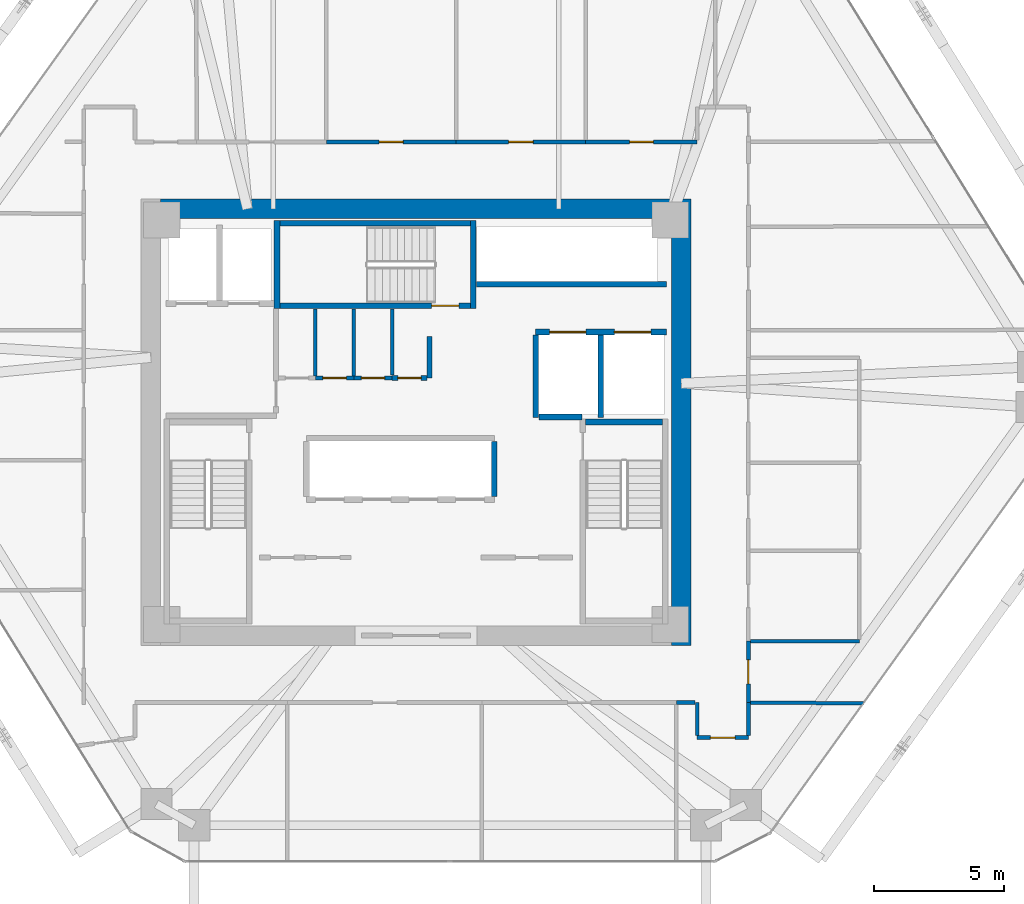
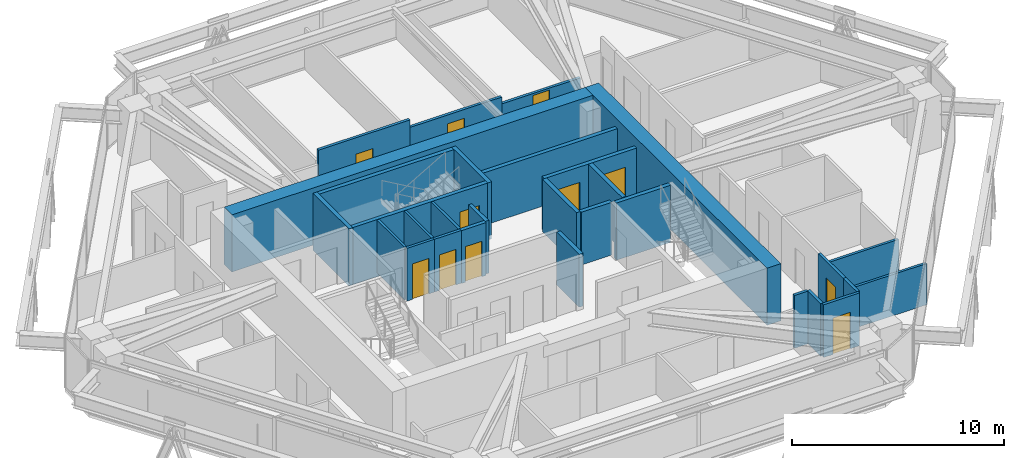
# One storey, part 14 of 16: 30 walls, 11 doors, 11 openings.
"""IFC4 building model written with IfcOpenShell, lengths in metres."""

from ifc_helpers import new_model, si_unit, direction, frame, frame_2d, origin, place, context, subcontext, project, spatial, rectangle, extrude, source, transform, mapped, material, layer, layer_set, type_object, type_shapes, element, fill, save


model = new_model("IFC4")

# Units and contexts
model_context = context("Model", 3, precision=1e-05, world=origin(), true_north=direction((0.0, 1.0)))
body_context = subcontext(model_context, "Body", "Model", "MODEL_VIEW")
ifc_project = project(units=[si_unit("LENGTHUNIT", "METRE"), si_unit("AREAUNIT", "SQUARE_METRE"), si_unit("VOLUMEUNIT", "CUBIC_METRE"), si_unit("PLANEANGLEUNIT", "RADIAN"), si_unit("MASSUNIT", "GRAM", prefix="KILO")], contexts=[model_context])

# Site, building, storey
site_placement = place(None, origin())
site = spatial("IfcSite", under=ifc_project, at=site_placement, CompositionType="ELEMENT")
building_placement = place(site_placement, origin())
building = spatial("IfcBuilding", under=site, at=building_placement, Name="Durnholm Broadcast Tower", CompositionType="ELEMENT")
storey_placement = place(building_placement, frame((0.0, 0.0, 123.89990234375)))
storey = spatial("IfcBuildingStorey", under=building, at=storey_placement, Name="L33", CompositionType="ELEMENT", Elevation=123.89990234375)

# Walls
ifc_material_1 = material(Name="Concrete C70/85", Category="concrete")
ifc_layer_1 = layer(ifc_material_1, 0.75)
ifc_layer_set_1 = layer_set([ifc_layer_1], Name="Concrete C70/85")
wall_type_1 = type_object("IfcWallType", Name="WALL-CW-750", PredefinedType="SHEAR", material=ifc_layer_set_1)
wall_1_placement = place(storey_placement, frame((10.22509765625, -8.60009765625, 0.0), z_axis=(0.0, 0.0, 1.0), x_axis=(0.0, 1.0, 0.0)))
element("IfcWall", 1, at=wall_1_placement, inside=storey, type_object=wall_type_1, Name="L33 central core shear wall CW-EAST", PredefinedType="SHEAR", context=body_context, shape_type="SweptSolid", body=[
    extrude(rectangle(XDim=17.2001953125, YDim=0.75, at=frame_2d((8.60009765625, 0.0))), origin(), (0.0, 0.0, 1.0), 3.300048828125),
])
wall_2_placement = place(storey_placement, frame((-9.85009765625, 8.22509765625, 0.0), z_axis=(0.0, 0.0, 1.0), x_axis=(1.0, 0.0, 0.0)))
element("IfcWall", 2, at=wall_2_placement, inside=storey, type_object=wall_type_1, Name="L33 central core shear wall CW-N", PredefinedType="SHEAR", context=body_context, shape_type="SweptSolid", body=[
    extrude(rectangle(XDim=19.7001953125, YDim=0.75, at=frame_2d((9.85009765625, 0.0))), origin(), (0.0, 0.0, 1.0), 3.300048828125),
])
ifc_material_2 = material(Name="Fire-Rated Gypsum Shaftwall", Category="concrete")
ifc_layer_2 = layer(ifc_material_2, 0.199951171875)
ifc_layer_set_2 = layer_set([ifc_layer_2], Name="Fire-Rated Gypsum Shaftwall")
wall_type_2 = type_object("IfcWallType", Name="WALL-LOB-200", PredefinedType="SOLIDWALL", material=ifc_layer_set_2)
wall_3_placement = place(storey_placement, frame((0.52001953125, 3.300048828125, 0.0), z_axis=(0.0, 0.0, 1.0), x_axis=(0.0, -1.0, 0.0)))
element("IfcWall", 3, at=wall_3_placement, inside=storey, type_object=wall_type_2, Name="L33 Core Signal Sync Room corridor partition", PredefinedType="SOLIDWALL", context=body_context, shape_type="SweptSolid", body=[
    extrude(rectangle(XDim=1.590087890625, YDim=0.199951171875, at=frame_2d((0.794921875, 0.0))), origin(), (0.0, 0.0, 1.0), 3.045166015625),
])

# Wall, opening, door
wall_4_placement = place(storey_placement, frame((0.416015625, 1.7099609375, 0.0), z_axis=(0.0, 0.0, 1.0), x_axis=(-1.0, 0.0, 0.0)))
wall_4 = element("IfcWall", 4, at=wall_4_placement, inside=storey, type_object=wall_type_2, Name="L33 Core Signal Sync Room corridor partition", PredefinedType="SOLIDWALL", context=body_context, shape_type="SweptSolid", body=[
    extrude(rectangle(XDim=1.3359375, YDim=0.199951171875, at=frame_2d((0.66796875, 0.0))), origin(), (0.0, 0.0, 1.0), 3.045166015625),
])
opening_1_placement = place(wall_4_placement, frame((0.218017578125, 0.0, 0.0)))
opening_1 = element("IfcOpeningElement", 5, at=opening_1_placement, cuts=wall_4, Name="Opening DC-60R", PredefinedType="OPENING", context=body_context, shape_type="SweptSolid", body=[
    extrude(rectangle(XDim=0.89990234375, YDim=2.050048828125, at=frame_2d((0.449951171875, 1.02490234375))), frame((0.0, 0.10986328125, 0.0), z_axis=(0.0, -1.0, 0.0), x_axis=(1.0, 0.0, 0.0)), (0.0, 0.0, 1.0), 0.219970703125),
])
ifc_material_3 = material(Name="Fire-Rated Core Service Door", Category="steel")
ifc_layer_3 = layer(ifc_material_3, 0.050048828125)
ifc_layer_set_3 = layer_set([ifc_layer_3], Name="Fire-Rated Core Service Door")
door_type_1 = type_object("IfcDoorType", Name="DOOR-CORE-FD60-R", OperationType="NOTDEFINED", PredefinedType="DOOR", material=ifc_layer_set_3)
shared_shape_1 = source(origin(), body_context, "Body", "SweptSolid", [
    extrude(rectangle(XDim=0.89990234375, YDim=2.050048828125, at=frame_2d((0.449951171875, 1.02490234375))), frame((0.0, 0.02490234375, 0.0), z_axis=(0.0, -1.0, 0.0), x_axis=(1.0, 0.0, 0.0)), (0.0, 0.0, 1.0), 0.050048828125),
])
type_shapes(door_type_1, [shared_shape_1])
door_1_placement = place(opening_1_placement, origin())
door_1 = element("IfcDoor", 6, at=door_1_placement, inside=storey, type_object=door_type_1, Name="L33 Core Signal Sync Room entrance door", OperationType="SINGLE_SWING_RIGHT", OverallHeight=2.050048828125, OverallWidth=0.89990234375, PredefinedType="DOOR", context=body_context, shape_type="MappedRepresentation", body=[
    mapped(shared_shape_1, transform((0.0, 0.0, 0.0), x_axis=(1.0, 0.0, 0.0), y_axis=(0.0, 1.0, 0.0), z_axis=(0.0, 0.0, 1.0), scale=1.0)),
])
fill(opening_1, door_1)

# Walls
ifc_material_4 = material(Name="Gypsum Metal Stud Partition", Category="concrete")
ifc_layer_4 = layer(ifc_material_4, 0.135009765625)
ifc_layer_set_4 = layer_set([ifc_layer_4], Name="Gypsum Metal Stud Partition")
wall_type_3 = type_object("IfcWallType", Name="WALL-PART-135", PredefinedType="PARTITIONING", material=ifc_layer_set_4)
for number, where, z_axis, x_axis, name in (
    (7, (-3.8798828125, 4.375, 0.0), (0.0, 0.0, 1.0), (0.0, -1.0, 0.0), "L33 room dividing partition 4.5"),
    (8, (-2.39990234375, 4.375, 0.0), (0.0, 0.0, 1.0), (0.0, -1.0, 0.0), "L33 room dividing partition 5.6"),
):
    element("IfcWall", number, at=place(storey_placement, frame(where, z_axis=z_axis, x_axis=x_axis)), inside=storey, type_object=wall_type_3, Name=name, PredefinedType="PARTITIONING", context=body_context, shape_type="SweptSolid", body=[
        extrude(rectangle(XDim=2.5859375, YDim=0.135009765625, at=frame_2d((1.29296875, 0.0))), origin(), (0.0, 0.0, 1.0), 3.045166015625),
    ])
wall_5_placement = place(storey_placement, frame((-0.919921875, 4.375, 0.0), z_axis=(0.0, 0.0, 1.0), x_axis=(0.0, -1.0, 0.0)))
element("IfcWall", 9, at=wall_5_placement, inside=storey, type_object=wall_type_3, Name="L33 room dividing partition 6.7", PredefinedType="PARTITIONING", context=body_context, shape_type="SweptSolid", body=[
    extrude(rectangle(XDim=2.56103515625, YDim=0.135009765625, at=frame_2d((1.280517578125, 0.0))), origin(), (0.0, 0.0, 1.0), 3.045166015625),
])
wall_6_placement = place(storey_placement, frame((12.888916015625, -10.810302734375, 0.0), z_axis=(0.0, 0.0, 1.0), x_axis=(0.999986140562, -0.005264853658, 0.0)))
element("IfcWall", 10, at=wall_6_placement, inside=storey, type_object=wall_type_3, Name="L33 room dividing partition 20.27", PredefinedType="PARTITIONING", context=body_context, shape_type="SweptSolid", body=[
    extrude(rectangle(XDim=4.35888671875, YDim=0.135009765625, at=frame_2d((2.179443359375, 0.0))), origin(), (0.0, 0.0, 1.0), 2.380126953125),
])

# Wall, opening, door
ifc_material_5 = material(Name="Acoustic Gypsum Stud Partition", Category="concrete")
ifc_layer_5 = layer(ifc_material_5, 0.14990234375)
ifc_layer_set_5 = layer_set([ifc_layer_5], Name="Acoustic Gypsum Stud Partition")
wall_type_4 = type_object("IfcWallType", Name="WALL-PART-150", PredefinedType="PARTITIONING", material=ifc_layer_set_5)
wall_7_placement = place(storey_placement, frame((-2.39990234375, 1.7099609375, 0.0), z_axis=(0.0, 0.0, 1.0), x_axis=(-1.0, 0.0, 0.0)))
wall_7 = element("IfcWall", 11, at=wall_7_placement, inside=storey, type_object=wall_type_4, Name="L33 Core Linen Supply Closet corridor partition", PredefinedType="PARTITIONING", context=body_context, shape_type="SweptSolid", body=[
    extrude(rectangle(XDim=1.47998046875, YDim=0.14990234375, at=frame_2d((0.739990234375, 0.0))), origin(), (0.0, 0.0, 1.0), 3.045166015625),
])
opening_2_placement = place(wall_7_placement, frame((0.2900390625, 0.0, 0.0)))
opening_2 = element("IfcOpeningElement", 12, at=opening_2_placement, cuts=wall_7, Name="Opening DC-60R", PredefinedType="OPENING", context=body_context, shape_type="SweptSolid", body=[
    extrude(rectangle(XDim=0.89990234375, YDim=2.050048828125, at=frame_2d((0.449951171875, 1.02490234375))), frame((0.0, 0.0849609375, 0.0), z_axis=(0.0, -1.0, 0.0), x_axis=(1.0, 0.0, 0.0)), (0.0, 0.0, 1.0), 0.169921875),
])
door_2_placement = place(opening_2_placement, origin())
door_2 = element("IfcDoor", 13, at=door_2_placement, inside=storey, type_object=door_type_1, Name="L33 Core Linen Supply Closet entrance door", OperationType="SINGLE_SWING_RIGHT", OverallHeight=2.050048828125, OverallWidth=0.89990234375, PredefinedType="DOOR", context=body_context, shape_type="MappedRepresentation", body=[
    mapped(shared_shape_1, transform((0.0, 0.0, 0.0), x_axis=(1.0, 0.0, 0.0), y_axis=(0.0, 1.0, 0.0), z_axis=(0.0, 0.0, 1.0), scale=1.0)),
])
fill(opening_2, door_2)

wall_8_placement = place(storey_placement, frame((-0.919921875, 1.7099609375, 0.0), z_axis=(0.0, 0.0, 1.0), x_axis=(-1.0, 0.0, 0.0)))
wall_8 = element("IfcWall", 14, at=wall_8_placement, inside=storey, type_object=wall_type_4, Name="L33 Core Safety Gear Store corridor partition", PredefinedType="PARTITIONING", context=body_context, shape_type="SweptSolid", body=[
    extrude(rectangle(XDim=1.47998046875, YDim=0.14990234375, at=frame_2d((0.739990234375, 0.0))), origin(), (0.0, 0.0, 1.0), 3.045166015625),
])
opening_3_placement = place(wall_8_placement, frame((0.2900390625, 0.0, 0.0)))
opening_3 = element("IfcOpeningElement", 15, at=opening_3_placement, cuts=wall_8, Name="Opening DC-60L", PredefinedType="OPENING", context=body_context, shape_type="SweptSolid", body=[
    extrude(rectangle(XDim=0.89990234375, YDim=2.050048828125, at=frame_2d((0.449951171875, 1.02490234375))), frame((0.0, 0.0849609375, 0.0), z_axis=(0.0, -1.0, 0.0), x_axis=(1.0, 0.0, 0.0)), (0.0, 0.0, 1.0), 0.169921875),
])
ifc_layer_6 = layer(ifc_material_3, 0.050048828125)
ifc_layer_set_6 = layer_set([ifc_layer_6], Name="Fire-Rated Core Service Door")
door_type_2 = type_object("IfcDoorType", Name="DOOR-CORE-FD60-L", OperationType="NOTDEFINED", PredefinedType="DOOR", material=ifc_layer_set_6)
shared_shape_2 = source(origin(), body_context, "Body", "SweptSolid", [
    extrude(rectangle(XDim=0.89990234375, YDim=2.050048828125, at=frame_2d((0.449951171875, 1.02490234375))), frame((0.0, 0.02490234375, 0.0), z_axis=(0.0, -1.0, 0.0), x_axis=(1.0, 0.0, 0.0)), (0.0, 0.0, 1.0), 0.050048828125),
])
type_shapes(door_type_2, [shared_shape_2])
door_3_placement = place(opening_3_placement, origin())
door_3 = element("IfcDoor", 16, at=door_3_placement, inside=storey, type_object=door_type_2, Name="L33 Core Safety Gear Store entrance door", OperationType="SINGLE_SWING_LEFT", OverallHeight=2.050048828125, OverallWidth=0.89990234375, PredefinedType="DOOR", context=body_context, shape_type="MappedRepresentation", body=[
    mapped(shared_shape_2, transform((0.0, 0.0, 0.0), x_axis=(1.0, 0.0, 0.0), y_axis=(0.0, 1.0, 0.0), z_axis=(0.0, 0.0, 1.0), scale=1.0)),
])
fill(opening_3, door_3)

wall_9_placement = place(storey_placement, frame((1.5400390625, 10.81005859375, 0.0), z_axis=(0.0, 0.0, 1.0), x_axis=(-1.0, 0.0, 0.0)))
wall_9 = element("IfcWall", 17, at=wall_9_placement, inside=storey, type_object=wall_type_4, Name="L33 Podcast Dining Room corridor partition", PredefinedType="PARTITIONING", context=body_context, shape_type="SweptSolid", body=[
    extrude(rectangle(XDim=5.0, YDim=0.14990234375, at=frame_2d((2.5, 0.0))), origin(), (0.0, 0.0, 1.0), 3.045166015625),
])
opening_4_placement = place(wall_9_placement, frame((2.0400390625, 0.0, 0.0)))
opening_4 = element("IfcOpeningElement", 18, at=opening_4_placement, cuts=wall_9, Name="Opening DR-92R", PredefinedType="OPENING", context=body_context, shape_type="SweptSolid", body=[
    extrude(rectangle(XDim=0.919921875, YDim=2.10009765625, at=frame_2d((0.4599609375, 1.050048828125))), frame((0.0, 0.0849609375, 0.0), z_axis=(0.0, -1.0, 0.0), x_axis=(1.0, 0.0, 0.0)), (0.0, 0.0, 1.0), 0.169921875),
])
ifc_material_6 = material(Name="Oak Veneer Office Door", Category="wood")
ifc_layer_7 = layer(ifc_material_6, 0.050048828125)
ifc_layer_set_7 = layer_set([ifc_layer_7], Name="Oak Veneer Office Door")
door_type_3 = type_object("IfcDoorType", Name="DOOR-RM-920R", OperationType="NOTDEFINED", PredefinedType="DOOR", material=ifc_layer_set_7)
shared_shape_3 = source(origin(), body_context, "Body", "SweptSolid", [
    extrude(rectangle(XDim=0.919921875, YDim=2.10009765625, at=frame_2d((0.4599609375, 1.050048828125))), frame((0.0, 0.02490234375, 0.0), z_axis=(0.0, -1.0, 0.0), x_axis=(1.0, 0.0, 0.0)), (0.0, 0.0, 1.0), 0.050048828125),
])
type_shapes(door_type_3, [shared_shape_3])
door_4_placement = place(opening_4_placement, origin())
door_4 = element("IfcDoor", 19, at=door_4_placement, inside=storey, type_object=door_type_3, Name="L33 Podcast Dining Room entrance door", OperationType="SINGLE_SWING_RIGHT", OverallHeight=2.10009765625, OverallWidth=0.919921875, PredefinedType="DOOR", context=body_context, shape_type="MappedRepresentation", body=[
    mapped(shared_shape_3, transform((0.0, 0.0, 0.0), x_axis=(1.0, 0.0, 0.0), y_axis=(0.0, 1.0, 0.0), z_axis=(0.0, 0.0, 1.0), scale=1.0)),
])
fill(opening_4, door_4)

wall_10_placement = place(storey_placement, frame((6.5400390625, 10.81005859375, 0.0), z_axis=(0.0, 0.0, 1.0), x_axis=(-1.0, 0.0, 0.0)))
wall_10 = element("IfcWall", 20, at=wall_10_placement, inside=storey, type_object=wall_type_4, Name="L33 Audio Lounge corridor partition", PredefinedType="PARTITIONING", context=body_context, shape_type="SweptSolid", body=[
    extrude(rectangle(XDim=5.0, YDim=0.14990234375, at=frame_2d((2.5, 0.0))), origin(), (0.0, 0.0, 1.0), 2.6083984375),
])
opening_5_placement = place(wall_10_placement, frame((2.02490234375, 0.0, 0.0)))
opening_5 = element("IfcOpeningElement", 21, at=opening_5_placement, cuts=wall_10, Name="Opening DR-95L", PredefinedType="OPENING", context=body_context, shape_type="SweptSolid", body=[
    extrude(rectangle(XDim=0.949951171875, YDim=2.10009765625, at=frame_2d((0.47509765625, 1.050048828125))), frame((0.0, 0.0849609375, 0.0), z_axis=(0.0, -1.0, 0.0), x_axis=(1.0, 0.0, 0.0)), (0.0, 0.0, 1.0), 0.169921875),
])
ifc_material_7 = material(Name="Acoustic Oak Veneer Timber Door", Category="wood")
ifc_layer_8 = layer(ifc_material_7, 0.050048828125)
ifc_layer_set_8 = layer_set([ifc_layer_8], Name="Acoustic Oak Veneer Timber Door")
door_type_4 = type_object("IfcDoorType", Name="DOOR-RM-950L", OperationType="NOTDEFINED", PredefinedType="DOOR", material=ifc_layer_set_8)
shared_shape_4 = source(origin(), body_context, "Body", "SweptSolid", [
    extrude(rectangle(XDim=0.949951171875, YDim=2.10009765625, at=frame_2d((0.47509765625, 1.050048828125))), frame((0.0, 0.02490234375, 0.0), z_axis=(0.0, -1.0, 0.0), x_axis=(1.0, 0.0, 0.0)), (0.0, 0.0, 1.0), 0.050048828125),
])
type_shapes(door_type_4, [shared_shape_4])
door_5_placement = place(opening_5_placement, origin())
door_5 = element("IfcDoor", 22, at=door_5_placement, inside=storey, type_object=door_type_4, Name="L33 Audio Lounge entrance door", OperationType="SINGLE_SWING_LEFT", OverallHeight=2.10009765625, OverallWidth=0.949951171875, PredefinedType="DOOR", context=body_context, shape_type="MappedRepresentation", body=[
    mapped(shared_shape_4, transform((0.0, 0.0, 0.0), x_axis=(1.0, 0.0, 0.0), y_axis=(0.0, 1.0, 0.0), z_axis=(0.0, 0.0, 1.0), scale=1.0)),
])
fill(opening_5, door_5)

wall_11_placement = place(storey_placement, frame((10.840087890625, 10.81005859375, 0.0), z_axis=(0.0, 0.0, 1.0), x_axis=(-1.0, 0.0, 0.0)))
wall_11 = element("IfcWall", 23, at=wall_11_placement, inside=storey, type_object=wall_type_4, Name="L33 Acoustic Meeting Room 1 corridor partition", PredefinedType="PARTITIONING", context=body_context, shape_type="SweptSolid", body=[
    extrude(rectangle(XDim=4.300048828125, YDim=0.14990234375, at=frame_2d((2.14990234375, 0.0))), origin(), (0.0, 0.0, 1.0), 2.212158203125),
])
opening_6_placement = place(wall_11_placement, frame((1.68994140625, 0.0, 0.0)))
opening_6 = element("IfcOpeningElement", 24, at=opening_6_placement, cuts=wall_11, Name="Opening DR-92R", PredefinedType="OPENING", context=body_context, shape_type="SweptSolid", body=[
    extrude(rectangle(XDim=0.919921875, YDim=2.10009765625, at=frame_2d((0.4599609375, 1.050048828125))), frame((0.0, 0.0849609375, 0.0), z_axis=(0.0, -1.0, 0.0), x_axis=(1.0, 0.0, 0.0)), (0.0, 0.0, 1.0), 0.169921875),
])
door_6_placement = place(opening_6_placement, origin())
door_6 = element("IfcDoor", 25, at=door_6_placement, inside=storey, type_object=door_type_3, Name="L33 Acoustic Meeting Room 1 entrance door", OperationType="SINGLE_SWING_RIGHT", OverallHeight=2.10009765625, OverallWidth=0.919921875, PredefinedType="DOOR", context=body_context, shape_type="MappedRepresentation", body=[
    mapped(shared_shape_3, transform((0.0, 0.0, 0.0), x_axis=(1.0, 0.0, 0.0), y_axis=(0.0, 1.0, 0.0), z_axis=(0.0, 0.0, 1.0), scale=1.0)),
])
fill(opening_6, door_6)

wall_12_placement = place(storey_placement, frame((10.840087890625, -12.159912109375, 0.0), z_axis=(0.0, 0.0, 1.0), x_axis=(1.0, 0.0, 0.0)))
wall_12 = element("IfcWall", 26, at=wall_12_placement, inside=storey, type_object=wall_type_4, Name="L33 Open Plan Broadcast Workspace 5 corridor partition", PredefinedType="PARTITIONING", context=body_context, shape_type="SweptSolid", body=[
    extrude(rectangle(XDim=1.969970703125, YDim=0.14990234375, at=frame_2d((0.98486328125, 0.0))), origin(), (0.0, 0.0, 1.0), 3.045166015625),
])
opening_7_placement = place(wall_12_placement, frame((0.510009765625, 0.0, 0.0)))
opening_7 = element("IfcOpeningElement", 27, at=opening_7_placement, cuts=wall_12, Name="Opening DR-95L", PredefinedType="OPENING", context=body_context, shape_type="SweptSolid", body=[
    extrude(rectangle(XDim=0.949951171875, YDim=2.10009765625, at=frame_2d((0.47509765625, 1.050048828125))), frame((0.0, 0.0849609375, 0.0), z_axis=(0.0, -1.0, 0.0), x_axis=(1.0, 0.0, 0.0)), (0.0, 0.0, 1.0), 0.169921875),
])
door_7_placement = place(opening_7_placement, origin())
door_7 = element("IfcDoor", 28, at=door_7_placement, inside=storey, type_object=door_type_4, Name="L33 Open Plan Broadcast Workspace 5 entrance door", OperationType="SINGLE_SWING_LEFT", OverallHeight=2.10009765625, OverallWidth=0.949951171875, PredefinedType="DOOR", context=body_context, shape_type="MappedRepresentation", body=[
    mapped(shared_shape_4, transform((0.0, 0.0, 0.0), x_axis=(1.0, 0.0, 0.0), y_axis=(0.0, 1.0, 0.0), z_axis=(0.0, 0.0, 1.0), scale=1.0)),
])
fill(opening_7, door_7)

# Walls
for number, where, z_axis, x_axis, name in (
    (29, (10.840087890625, -10.81005859375, 0.0), (0.0, 0.0, 1.0), (0.0, -1.0, 0.0), "L33 Open Plan Broadcast Workspace 5 corridor partition"),
    (30, (12.81005859375, -12.0810546875, 0.0), (0.0, 0.0, 1.0), (0.0, 1.0, 0.0), "L33 Open Plan Broadcast Workspace 5 corridor partition"),
):
    element("IfcWall", number, at=place(storey_placement, frame(where, z_axis=z_axis, x_axis=x_axis)), inside=storey, type_object=wall_type_4, Name=name, PredefinedType="PARTITIONING", context=body_context, shape_type="SweptSolid", body=[
        extrude(rectangle(XDim=1.27099609375, YDim=0.14990234375, at=frame_2d((0.635498046875, 0.0))), origin(), (0.0, 0.0, 1.0), 3.045166015625),
    ])
wall_13_placement = place(storey_placement, frame((10.0400390625, -10.81005859375, 0.0), z_axis=(0.0, 0.0, 1.0), x_axis=(1.0, 0.0, 0.0)))
element("IfcWall", 31, at=wall_13_placement, inside=storey, type_object=wall_type_4, Name="L33 Open Plan Broadcast Workspace 5 corridor partition", PredefinedType="PARTITIONING", context=body_context, shape_type="SweptSolid", body=[
    extrude(rectangle(XDim=0.720947265625, YDim=0.14990234375, at=frame_2d((0.3603515625, 0.0))), origin(), (0.0, 0.0, 1.0), 3.045166015625),
])

# Wall, opening, door
wall_14_placement = place(storey_placement, frame((12.81005859375, -10.81005859375, 0.0), z_axis=(0.0, 0.0, 1.0), x_axis=(0.0, 1.0, 0.0)))
wall_14 = element("IfcWall", 32, at=wall_14_placement, inside=storey, type_object=wall_type_4, Name="L33 Open Plan Broadcast Workspace 6 corridor partition", PredefinedType="PARTITIONING", context=body_context, shape_type="SweptSolid", body=[
    extrude(rectangle(XDim=2.3701171875, YDim=0.14990234375, at=frame_2d((1.18505859375, 0.0))), origin(), (0.0, 0.0, 1.0), 3.045166015625),
])
opening_8_placement = place(wall_14_placement, frame((0.72509765625, 0.0, 0.0)))
opening_8 = element("IfcOpeningElement", 33, at=opening_8_placement, cuts=wall_14, Name="Opening DR-92L", PredefinedType="OPENING", context=body_context, shape_type="SweptSolid", body=[
    extrude(rectangle(XDim=0.919921875, YDim=2.10009765625, at=frame_2d((0.4599609375, 1.050048828125))), frame((0.0, 0.0849609375, 0.0), z_axis=(0.0, -1.0, 0.0), x_axis=(1.0, 0.0, 0.0)), (0.0, 0.0, 1.0), 0.169921875),
])
ifc_layer_9 = layer(ifc_material_6, 0.050048828125)
ifc_layer_set_9 = layer_set([ifc_layer_9], Name="Oak Veneer Office Door")
door_type_5 = type_object("IfcDoorType", Name="DOOR-RM-920L", OperationType="NOTDEFINED", PredefinedType="DOOR", material=ifc_layer_set_9)
shared_shape_5 = source(origin(), body_context, "Body", "SweptSolid", [
    extrude(rectangle(XDim=0.919921875, YDim=2.10009765625, at=frame_2d((0.4599609375, 1.050048828125))), frame((0.0, 0.02490234375, 0.0), z_axis=(0.0, -1.0, 0.0), x_axis=(1.0, 0.0, 0.0)), (0.0, 0.0, 1.0), 0.050048828125),
])
type_shapes(door_type_5, [shared_shape_5])
door_8_placement = place(opening_8_placement, origin())
door_8 = element("IfcDoor", 34, at=door_8_placement, inside=storey, type_object=door_type_5, Name="L33 Open Plan Broadcast Workspace 6 entrance door", OperationType="SINGLE_SWING_LEFT", OverallHeight=2.10009765625, OverallWidth=0.919921875, PredefinedType="DOOR", context=body_context, shape_type="MappedRepresentation", body=[
    mapped(shared_shape_5, transform((0.0, 0.0, 0.0), x_axis=(1.0, 0.0, 0.0), y_axis=(0.0, 1.0, 0.0), z_axis=(0.0, 0.0, 1.0), scale=1.0)),
])
fill(opening_8, door_8)

# Wall, openings, doors
ifc_material_8 = material(Name="Concrete Blockwork C30/37", Category="masonry")
ifc_layer_10 = layer(ifc_material_8, 0.219970703125)
ifc_layer_set_10 = layer_set([ifc_layer_10], Name="Concrete Blockwork C30/37")
wall_type_5 = type_object("IfcWallType", Name="WALL-SHAFT-220", PredefinedType="SOLIDWALL", material=ifc_layer_set_10)
wall_15_placement = place(storey_placement, frame((4.60009765625, 3.47998046875, 0.0), z_axis=(0.0, 0.0, 1.0), x_axis=(1.0, 0.0, 0.0)))
wall_15 = element("IfcWall", 35, at=wall_15_placement, inside=storey, type_object=wall_type_5, Name="L33 freight service lifts north front wall", PredefinedType="SOLIDWALL", context=body_context, shape_type="SweptSolid", body=[
    extrude(rectangle(XDim=5.0498046875, YDim=0.219970703125, at=frame_2d((2.52490234375, 0.0))), origin(), (0.0, 0.0, 1.0), 3.045166015625),
])
opening_9_placement = place(wall_15_placement, frame((0.550048828125, 0.0, 0.0)))
opening_9 = element("IfcOpeningElement", 36, at=opening_9_placement, cuts=wall_15, Name="Opening LD-SVL-2", PredefinedType="OPENING", context=body_context, shape_type="SweptSolid", body=[
    extrude(rectangle(XDim=1.39990234375, YDim=2.14990234375, at=frame_2d((0.699951171875, 1.074951171875))), frame((0.0, 0.1201171875, 0.0), z_axis=(0.0, -1.0, 0.0), x_axis=(1.0, 0.0, 0.0)), (0.0, 0.0, 1.0), 0.239990234375),
])
opening_10_placement = place(wall_15_placement, frame((3.050048828125, 0.0, 0.0)))
opening_10 = element("IfcOpeningElement", 37, at=opening_10_placement, cuts=wall_15, Name="Opening LD-SVL-1", PredefinedType="OPENING", context=body_context, shape_type="SweptSolid", body=[
    extrude(rectangle(XDim=1.39990234375, YDim=2.14990234375, at=frame_2d((0.699951171875, 1.074951171875))), frame((0.0, 0.1201171875, 0.0), z_axis=(0.0, -1.0, 0.0), x_axis=(1.0, 0.0, 0.0)), (0.0, 0.0, 1.0), 0.239990234375),
])
ifc_material_9 = material(Name="Freight Elevator Bi-Parting Sliding Landing Door", Category="steel")
ifc_layer_11 = layer(ifc_material_9, 0.050048828125)
ifc_layer_set_11 = layer_set([ifc_layer_11], Name="Freight Elevator Bi-Parting Sliding Landing Door")
door_type_6 = type_object("IfcDoorType", Name="DOOR-LIFT-SVL", OperationType="DOUBLE_DOOR_SLIDING", PredefinedType="DOOR", material=ifc_layer_set_11)
shared_shape_6 = source(origin(), body_context, "Body", "SweptSolid", [
    extrude(rectangle(XDim=1.39990234375, YDim=2.14990234375, at=frame_2d((0.699951171875, 1.074951171875))), frame((0.0, 0.02490234375, 0.0), z_axis=(0.0, -1.0, 0.0), x_axis=(1.0, 0.0, 0.0)), (0.0, 0.0, 1.0), 0.050048828125),
])
type_shapes(door_type_6, [shared_shape_6])
door_9_placement = place(opening_9_placement, origin())
door_9 = element("IfcDoor", 38, at=door_9_placement, inside=storey, type_object=door_type_6, Name="L33 freight service elevator SVL-2 sliding landing door", OperationType="DOUBLE_DOOR_SLIDING", OverallHeight=2.14990234375, OverallWidth=1.39990234375, PredefinedType="DOOR", context=body_context, shape_type="MappedRepresentation", body=[
    mapped(shared_shape_6, transform((0.0, 0.0, 0.0), x_axis=(1.0, 0.0, 0.0), y_axis=(0.0, 1.0, 0.0), z_axis=(0.0, 0.0, 1.0), scale=1.0)),
])
fill(opening_9, door_9)
door_10_placement = place(opening_10_placement, origin())
door_10 = element("IfcDoor", 39, at=door_10_placement, inside=storey, type_object=door_type_6, Name="L33 freight service elevator SVL-1 sliding landing door", OperationType="DOUBLE_DOOR_SLIDING", OverallHeight=2.14990234375, OverallWidth=1.39990234375, PredefinedType="DOOR", context=body_context, shape_type="MappedRepresentation", body=[
    mapped(shared_shape_6, transform((0.0, 0.0, 0.0), x_axis=(1.0, 0.0, 0.0), y_axis=(0.0, 1.0, 0.0), z_axis=(0.0, 0.0, 1.0), scale=1.0)),
])
fill(opening_10, door_10)

# Walls
for number, where, z_axis, x_axis, name in (
    (40, (4.6201171875, 0.179931640625, 0.0), (0.0, 0.0, 1.0), (0.0, 1.0, 0.0), "L33 freight service lift SVL-2 west wall"),
    (41, (7.1201171875, 0.179931640625, 0.0), (0.0, 0.0, 1.0), (0.0, 1.0, 0.0), "L33 freight service lifts divider wall"),
):
    element("IfcWall", number, at=place(storey_placement, frame(where, z_axis=z_axis, x_axis=x_axis)), inside=storey, type_object=wall_type_5, Name=name, PredefinedType="SOLIDWALL", context=body_context, shape_type="SweptSolid", body=[
        extrude(rectangle(XDim=3.18603515625, YDim=0.219970703125, at=frame_2d((1.593017578125, 0.0))), origin(), (0.0, 0.0, 1.0), 3.045166015625),
    ])
wall_16_placement = place(storey_placement, frame((4.73388671875, 0.199951171875, 0.0), z_axis=(0.0, 0.0, 1.0), x_axis=(1.0, 0.0, 0.0)))
element("IfcWall", 42, at=wall_16_placement, inside=storey, type_object=wall_type_5, Name="L33 freight service lift SVL-2 south wall", PredefinedType="SOLIDWALL", context=body_context, shape_type="SweptSolid", body=[
    extrude(rectangle(XDim=1.666015625, YDim=0.219970703125, at=frame_2d((0.8330078125, 0.0))), origin(), (0.0, 0.0, 1.0), 3.045166015625),
])
wall_17_placement = place(storey_placement, frame((3.02001953125, -2.865966796875, 0.0), z_axis=(0.0, 0.0, 1.0), x_axis=(0.0, 1.0, 0.0)))
element("IfcWall", 43, at=wall_17_placement, inside=storey, type_object=wall_type_5, Name="L33 mid-rise bank P2 east shaft wall", PredefinedType="SOLIDWALL", context=body_context, shape_type="SweptSolid", body=[
    extrude(rectangle(XDim=2.132080078125, YDim=0.219970703125, at=frame_2d((1.06591796875, 0.0))), origin(), (0.0, 0.0, 1.0), 3.045166015625),
])
wall_18_placement = place(storey_placement, frame((2.324951171875, 5.320068359375, 0.0), z_axis=(0.0, 0.0, 1.0), x_axis=(1.0, 0.0, 0.0)))
element("IfcWall", 44, at=wall_18_placement, inside=storey, type_object=wall_type_5, Name="L33 high-rise bank P3 south front wall", PredefinedType="SOLIDWALL", context=body_context, shape_type="SweptSolid", body=[
    extrude(rectangle(XDim=7.324951171875, YDim=0.219970703125, at=frame_2d((3.66259765625, 0.0))), origin(), (0.0, 0.0, 1.0), 3.045166015625),
])
ifc_material_10 = material(Name="Concrete C50/60", Category="concrete")
ifc_layer_12 = layer(ifc_material_10, 0.219970703125)
ifc_layer_set_12 = layer_set([ifc_layer_12], Name="Concrete C50/60")
wall_type_6 = type_object("IfcWallType", Name="WALL-SW-220", PredefinedType="SHEAR", material=ifc_layer_set_12)
wall_19_placement = place(storey_placement, frame((9.5, 0.010009765625, -0.239990234375), z_axis=(0.0, 0.0, 1.0), x_axis=(-1.0, 0.0, 0.0)))
element("IfcWall", 45, at=wall_19_placement, inside=storey, type_object=wall_type_6, Name="L33 stair ST-2 structural shaft wall N", PredefinedType="SHEAR", context=body_context, shape_type="SweptSolid", body=[
    extrude(rectangle(XDim=2.9599609375, YDim=0.219970703125, at=frame_2d((1.47998046875, 0.0))), origin(), (0.0, 0.0, 1.0), 3.300048828125),
])
for number, where, z_axis, x_axis, name in (
    (46, (2.2099609375, 4.3798828125, -0.239990234375), (0.0, 0.0, 1.0), (0.0, 1.0, 0.0), "L33 stair ST-3 structural shaft wall E"),
    (47, (-5.360107421875, 7.780029296875, -0.239990234375), (0.0, 0.0, 1.0), (0.0, -1.0, 0.0), "L33 stair ST-3 structural shaft wall W"),
):
    element("IfcWall", number, at=place(storey_placement, frame(where, z_axis=z_axis, x_axis=x_axis)), inside=storey, type_object=wall_type_6, Name=name, PredefinedType="SHEAR", context=body_context, shape_type="SweptSolid", body=[
        extrude(rectangle(XDim=3.400146484375, YDim=0.219970703125, at=frame_2d((1.7001953125, 0.0))), origin(), (0.0, 0.0, 1.0), 3.300048828125),
    ])

# Wall, opening, door
wall_20_placement = place(storey_placement, frame((-5.25, 4.489990234375, -0.239990234375), z_axis=(0.0, 0.0, 1.0), x_axis=(1.0, 0.0, 0.0)))
wall_20 = element("IfcWall", 48, at=wall_20_placement, inside=storey, type_object=wall_type_6, Name="L33 stair ST-3 structural shaft wall S", PredefinedType="SHEAR", context=body_context, shape_type="SweptSolid", body=[
    extrude(rectangle(XDim=7.35009765625, YDim=0.219970703125, at=frame_2d((3.675048828125, 0.0))), origin(), (0.0, 0.0, 1.0), 3.300048828125),
])
opening_11_placement = place(wall_20_placement, frame((5.85009765625, 0.0, 0.0)))
opening_11 = element("IfcOpeningElement", 49, at=opening_11_placement, cuts=wall_20, Name="Opening DS-90L", PredefinedType="OPENING", context=body_context, shape_type="SweptSolid", body=[
    extrude(rectangle(XDim=1.050048828125, YDim=2.14990234375, at=frame_2d((0.52490234375, 1.074951171875))), frame((0.0, 0.1201171875, 0.0), z_axis=(0.0, -1.0, 0.0), x_axis=(1.0, 0.0, 0.0)), (0.0, 0.0, 1.0), 0.239990234375),
])
ifc_material_11 = material(Name="Fire-Rated Steel Door", Category="steel")
ifc_layer_13 = layer(ifc_material_11, 0.050048828125)
ifc_layer_set_13 = layer_set([ifc_layer_13], Name="Fire-Rated Steel Door")
door_type_7 = type_object("IfcDoorType", Name="DOOR-ST-FD90-L", OperationType="NOTDEFINED", PredefinedType="DOOR", material=ifc_layer_set_13)
shared_shape_7 = source(origin(), body_context, "Body", "SweptSolid", [
    extrude(rectangle(XDim=1.050048828125, YDim=2.14990234375, at=frame_2d((0.52490234375, 1.074951171875))), frame((0.0, 0.02490234375, 0.0), z_axis=(0.0, -1.0, 0.0), x_axis=(1.0, 0.0, 0.0)), (0.0, 0.0, 1.0), 0.050048828125),
])
type_shapes(door_type_7, [shared_shape_7])
door_11_placement = place(opening_11_placement, origin())
door_11 = element("IfcDoor", 50, at=door_11_placement, inside=storey, type_object=door_type_7, Name="L33 exit stair ST-3 fire door", OperationType="SINGLE_SWING_LEFT", OverallHeight=2.14990234375, OverallWidth=1.050048828125, PredefinedType="DOOR", context=body_context, shape_type="MappedRepresentation", body=[
    mapped(shared_shape_7, transform((0.0, 0.0, 0.0), x_axis=(1.0, 0.0, 0.0), y_axis=(0.0, 1.0, 0.0), z_axis=(0.0, 0.0, 1.0), scale=1.0)),
])
fill(opening_11, door_11)

# Walls
wall_21_placement = place(storey_placement, frame((2.10009765625, 7.669921875, -0.239990234375), z_axis=(0.0, 0.0, 1.0), x_axis=(-1.0, 0.0, 0.0)))
element("IfcWall", 51, at=wall_21_placement, inside=storey, type_object=wall_type_6, Name="L33 stair ST-3 structural shaft wall N", PredefinedType="SHEAR", context=body_context, shape_type="SweptSolid", body=[
    extrude(rectangle(XDim=7.35009765625, YDim=0.219970703125, at=frame_2d((3.675048828125, 0.0))), origin(), (0.0, 0.0, 1.0), 3.300048828125),
])
ifc_material_12 = material(Name="Moisture-Resistant Tile Partition", Category="concrete")
ifc_layer_14 = layer(ifc_material_12, 0.139892578125)
ifc_layer_set_14 = layer_set([ifc_layer_14], Name="Moisture-Resistant Tile Partition")
wall_type_7 = type_object("IfcWallType", Name="WALL-WC-140", PredefinedType="PARTITIONING", material=ifc_layer_set_14)
wall_22_placement = place(storey_placement, frame((17.090087890625, -8.43994140625, 0.0), z_axis=(0.0, 0.0, 1.0), x_axis=(-1.0, 0.0, 0.0)))
element("IfcWall", 52, at=wall_22_placement, inside=storey, type_object=wall_type_7, Name="L33 room dividing partition 8.27", PredefinedType="PARTITIONING", context=body_context, shape_type="SweptSolid", body=[
    extrude(rectangle(XDim=4.201171875, YDim=0.139892578125, at=frame_2d((2.1005859375, 0.0))), origin(), (0.0, 0.0, 1.0), 2.380126953125),
])

save(model, "model.ifc")
